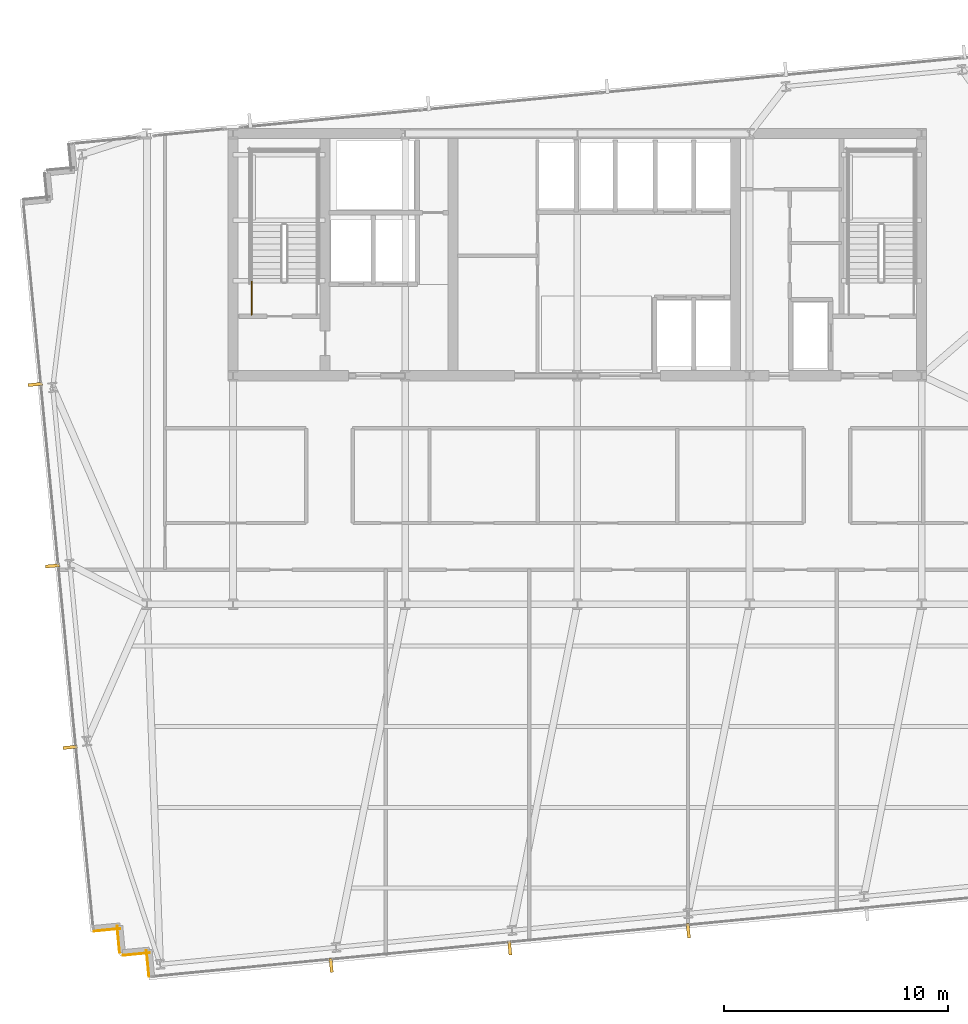
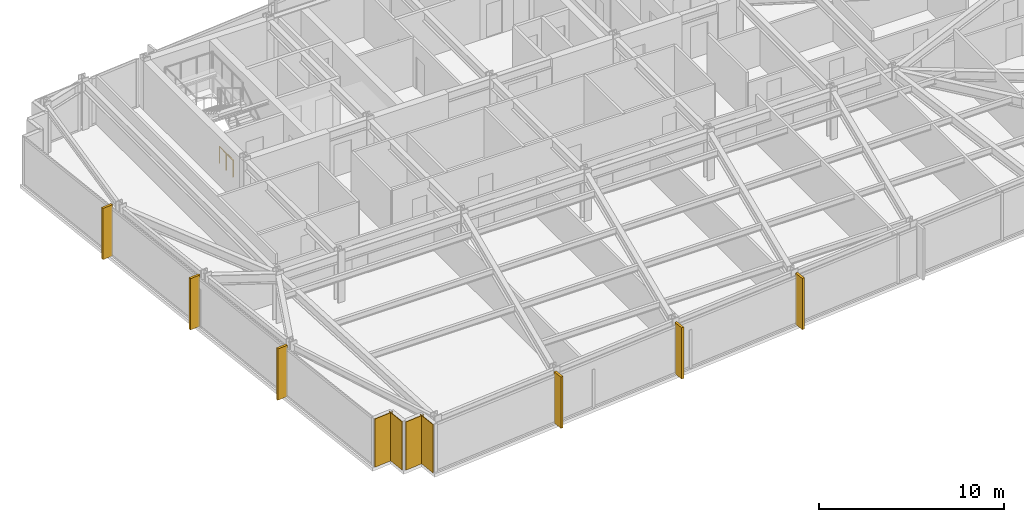
# One storey, part 28 of 33: 6 shading devices, 4 coverings, 1 railing.
"""IFC4 building model written with IfcOpenShell, lengths in metres."""

from ifc_helpers import new_model, si_unit, direction, frame, frame_2d, origin, origin_2d, place, context, subcontext, project, spatial, rectangle, circle, extrude, material, layer, layer_set, type_object, element, save


model = new_model("IFC4")

# Units and contexts
model_context = context("Model", 3, precision=1e-05, world=origin(), true_north=direction((0.0, 1.0)))
body_context = subcontext(model_context, "Body", "Model", "MODEL_VIEW")
ifc_project = project(units=[si_unit("LENGTHUNIT", "METRE"), si_unit("AREAUNIT", "SQUARE_METRE"), si_unit("VOLUMEUNIT", "CUBIC_METRE"), si_unit("PLANEANGLEUNIT", "RADIAN"), si_unit("MASSUNIT", "GRAM", prefix="KILO")], contexts=[model_context])

# Site, building, storey
site_placement = place(None, origin())
site = spatial("IfcSite", under=ifc_project, at=site_placement, CompositionType="ELEMENT")
building_placement = place(site_placement, origin())
building = spatial("IfcBuilding", under=site, at=building_placement, Name="Yelkora Congress Tower", CompositionType="ELEMENT")
storey_placement = place(building_placement, frame((0.0, 0.0, 106.699951171875)))
storey = spatial("IfcBuildingStorey", under=building, at=storey_placement, Name="L28", CompositionType="ELEMENT", Elevation=106.699951171875)

# Coverings
ifc_material_1 = material(Name="Anatolian bush-hammered limestone", Category="masonry")
ifc_layer_1 = layer(ifc_material_1, 0.0400390625)
ifc_layer_set_1 = layer_set([ifc_layer_1], Name="Anatolian bush-hammered limestone")
covering_type = type_object("IfcCoveringType", Name="COV-CLAD-SPANDREL-40", PredefinedType="CLADDING", material=ifc_layer_set_1)
covering_1_placement = place(storey_placement, frame((19.29248046875, 8.58447265625, 0.0), z_axis=(0.0, 0.0, 1.0), x_axis=(-0.095836473879, 0.995397091755, 0.0)))
element("IfcCovering", 1, at=covering_1_placement, inside=storey, type_object=covering_type, Name="L28 Anatolian Limestone Cladding EW-L28-SR01", PredefinedType="CLADDING", context=body_context, shape_type="SweptSolid", body=[
    extrude(rectangle(XDim=1.199951171875, YDim=0.0400390625, at=frame_2d((0.60009765625, 0.0))), origin(), (0.0, 0.0, 1.0), 3.179931640625),
])
for number, where, z_axis, x_axis, name in (
    (2, (19.32470703125, 9.657470703125, 0.0), (0.0, 0.0, 1.0), (-0.995398960025, -0.095817067274, 0.0), "L28 Anatolian Limestone Cladding EW-L28-SR02"),
    (3, (17.98291015625, 9.663818359375, 0.0), (0.0, 0.0, 1.0), (-0.095817067274, 0.995398960025, 0.0), "L28 Anatolian Limestone Cladding EW-L28-SR03"),
):
    element("IfcCovering", number, at=place(storey_placement, frame(where, z_axis=z_axis, x_axis=x_axis)), inside=storey, type_object=covering_type, Name=name, PredefinedType="CLADDING", context=body_context, shape_type="SweptSolid", body=[
        extrude(rectangle(XDim=1.2001953125, YDim=0.0400390625, at=frame_2d((0.60009765625, 0.0))), origin(), (0.0, 0.0, 1.0), 3.179931640625),
    ])
covering_2_placement = place(storey_placement, frame((18.01513671875, 10.737060546875, 0.0), z_axis=(0.0, 0.0, 1.0), x_axis=(-0.995397091755, -0.095836473879, 0.0)))
element("IfcCovering", 4, at=covering_2_placement, inside=storey, type_object=covering_type, Name="L28 Anatolian Limestone Cladding EW-L28-SR04", PredefinedType="CLADDING", context=body_context, shape_type="SweptSolid", body=[
    extrude(rectangle(XDim=1.199951171875, YDim=0.0400390625, at=frame_2d((0.60009765625, 0.0))), origin(), (0.0, 0.0, 1.0), 3.179931640625),
])

# Railing
ifc_material_2 = material(Name="Painted galvanised steel stair well guard with vertical infill", Category="steel")
ifc_layer_2 = layer(ifc_material_2, 0.06005859375)
ifc_layer_set_2 = layer_set([ifc_layer_2], Name="Painted galvanised steel stair well guard with vertical infill")
railing_type = type_object("IfcRailingType", Name="RAIL-STAIR-GUARD-1120", PredefinedType="GUARDRAIL", material=ifc_layer_set_2)
railing_placement = place(storey_placement, frame((23.8701171875, 38.1201171875, 0.0)))
element("IfcRailing", 5, at=railing_placement, inside=storey, type_object=railing_type, Name="ST-01 L28 Stair Well Guardrail 9", PredefinedType="GUARDRAIL", context=body_context, shape_type="SweptSolid", body=[
    extrude(circle(Radius=0.02392578125, at=origin_2d()), frame((0.0, 0.0, 1.09619140625), z_axis=(0.0, 1.0, 0.0), x_axis=(-1.0, 0.0, 0.0)), (0.0, 0.0, 1.0), 1.47998046875),
    extrude(circle(Radius=0.02099609375, at=origin_2d()), origin(), (0.0, 0.0, 1.0), 1.072021484375),
    extrude(circle(Radius=0.02099609375, at=origin_2d()), frame((0.0, 0.739990234375, 0.0)), (0.0, 0.0, 1.0), 1.072021484375),
    extrude(circle(Radius=0.02099609375, at=origin_2d()), frame((0.0, 1.47998046875, 0.0)), (0.0, 0.0, 1.0), 1.072021484375),
])

# Shading devices
ifc_material_3 = material(Name="Champagne anodised aluminium", Category="aluminium")
ifc_layer_3 = layer(ifc_material_3, 3.39990234375)
ifc_layer_set_3 = layer_set([ifc_layer_3], Name="Champagne anodised aluminium")
shading_device_type = type_object("IfcShadingDeviceType", Name="SHD-FIN-ALU-640", PredefinedType="USERDEFINED", material=ifc_layer_set_3)
for number, where, z_axis, x_axis, name in (
    (6, (15.769775390625, 18.823974609375, -0.02978515625), (0.0, 0.0, 1.0), (-0.09584575252, 0.995396198367, 0.0), "L28 Vertical Anodised Solar Fin 5-1"),
    (7, (14.990478515625, 26.91650390625, -0.02978515625), (0.0, 0.0, 1.0), (-0.09584575252, 0.995396198367, 0.0), "L28 Vertical Anodised Solar Fin 5-2"),
    (8, (14.211181640625, 35.00927734375, -0.02978515625), (0.0, 0.0, 1.0), (-0.09584575252, 0.995396198367, 0.0), "L28 Vertical Anodised Solar Fin 5-3"),
    (9, (43.349609375, 10.639892578125, -0.02978515625), (0.0, 0.0, 1.0), (-0.995396198367, -0.09584575252, 0.0), "L28 Vertical Anodised Solar Fin 20-4"),
    (10, (35.3837890625, 9.872802734375, -0.02978515625), (0.0, 0.0, 1.0), (-0.995396198367, -0.09584575252, 0.0), "L28 Vertical Anodised Solar Fin 20-5"),
    (11, (27.417724609375, 9.105712890625, -0.02978515625), (0.0, 0.0, 1.0), (-0.995396198367, -0.09584575252, 0.0), "L28 Vertical Anodised Solar Fin 20-6"),
):
    element("IfcShadingDevice", number, at=place(storey_placement, frame(where, z_axis=z_axis, x_axis=x_axis)), inside=storey, type_object=shading_device_type, Name=name, ObjectType="FIN", PredefinedType="USERDEFINED", context=body_context, shape_type="SweptSolid", body=[
        extrude(rectangle(XDim=0.139892578125, YDim=0.639892578125, at=origin_2d()), origin(), (0.0, 0.0, 1.0), 3.3798828125),
    ])

save(model, "model.ifc")
